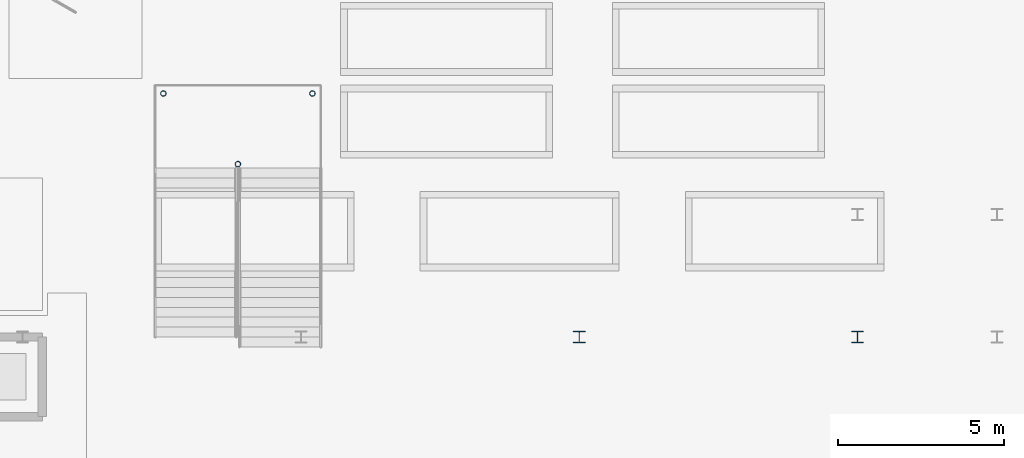
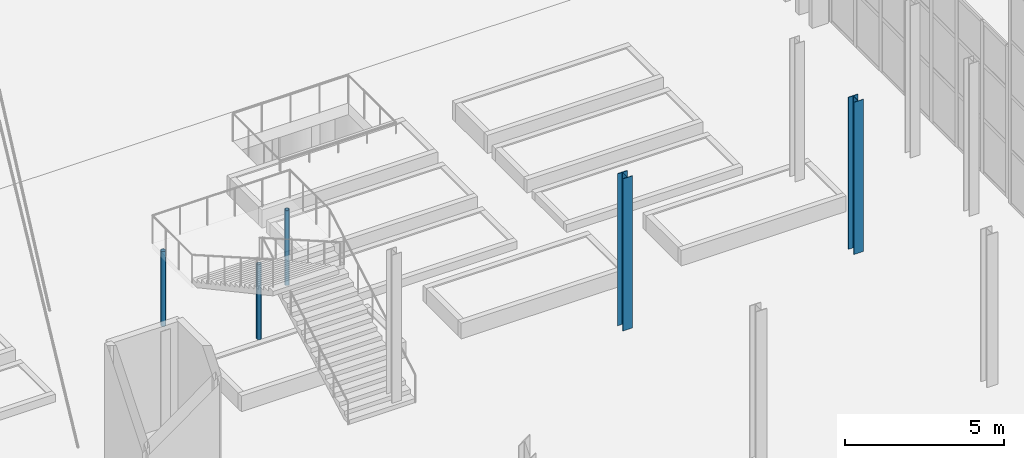
# One storey, part 30 of 108: 5 columns.
"""IFC4 building model written with IfcOpenShell, lengths in metres."""

from ifc_helpers import new_model, si_unit, direction, frame, origin, origin_2d, place, context, subcontext, project, spatial, hollow_circle, i_section, extrude, material, material_profile, profile_set, type_object, element, save


model = new_model("IFC4")

# Units and contexts
model_context = context("Model", 3, precision=1e-05, world=origin(), true_north=direction((0.0, 1.0)))
body_context = subcontext(model_context, "Body", "Model", "MODEL_VIEW")
ifc_project = project(units=[si_unit("LENGTHUNIT", "METRE"), si_unit("AREAUNIT", "SQUARE_METRE"), si_unit("VOLUMEUNIT", "CUBIC_METRE"), si_unit("PLANEANGLEUNIT", "RADIAN"), si_unit("MASSUNIT", "GRAM", prefix="KILO")], contexts=[model_context])

# Site, building, storey
site_placement = place(None, origin())
site = spatial("IfcSite", under=ifc_project, at=site_placement, CompositionType="ELEMENT")
building_placement = place(site_placement, origin())
building = spatial("IfcBuilding", under=site, at=building_placement, Name="Cresset Court Congress Hotel", CompositionType="ELEMENT")
storey_placement = place(building_placement, origin())
storey = spatial("IfcBuildingStorey", under=building, at=storey_placement, Name="L00", CompositionType="ELEMENT", Elevation=0.0)

# Columns
ifc_material_1 = material(Name="Structural steel Q355B", Category="steel")
ifc_material_profile_1 = material_profile(ifc_material_1, hollow_circle(Radius=0.083984375, WallThickness=0.008056640625, at=origin_2d()), Name="CHS168x8")
ifc_profile_set_1 = profile_set([ifc_material_profile_1], Name="Structural steel Q355B")
column_type_1 = type_object("IfcColumnType", Name="Canopy post CHS168x8", PredefinedType="COLUMN", material=ifc_profile_set_1)
for number, where, z_axis, x_axis, name in (
    (1, (132.5, 47.219970703125, 0.0), (0.0, 0.0, 1.0), (1.0, 0.0, 0.0), "Stair post D033"),
    (2, (130.25, 49.35009765625, 0.0), (0.0, 0.0, 1.0), (1.0, 0.0, 0.0), "Stair post D031"),
    (3, (134.75, 49.35009765625, 0.0), (0.0, 0.0, 1.0), (1.0, 0.0, 0.0), "Stair post D032"),
):
    element("IfcColumn", number, at=place(storey_placement, frame(where, z_axis=z_axis, x_axis=x_axis)), inside=storey, type_object=column_type_1, Name=name, PredefinedType="COLUMN", context=body_context, shape_type="SweptSolid", body=[
        extrude(hollow_circle(Radius=0.083984375, WallThickness=0.008056640625, at=origin_2d()), origin(), (0.0, 0.0, 1.0), 2.881103515625),
    ])
ifc_material_2 = material(Name="Structural steel Q355B", Category="steel")
ifc_material_profile_2 = material_profile(ifc_material_2, i_section(OverallWidth=0.35009765625, OverallDepth=0.35009765625, WebThickness=0.011962890625, FlangeThickness=0.01904296875, FilletRadius=0.012939453125, at=origin_2d()), Name="HW350x350x12x19")
ifc_profile_set_2 = profile_set([ifc_material_profile_2], Name="Structural steel Q355B")
column_type_2 = type_object("IfcColumnType", Name="Steel column HW350x350x12x19", PredefinedType="COLUMN", material=ifc_profile_set_2)
for number, where, z_axis, x_axis, name in (
    (4, (142.800048828125, 42.0, 0.0), (0.0, 0.0, 1.0), (1.0, 0.0, 0.0), "Deck column R317"),
    (5, (151.199951171875, 42.0, 0.0), (0.0, 0.0, 1.0), (1.0, 0.0, 0.0), "Deck column R318"),
):
    element("IfcColumn", number, at=place(storey_placement, frame(where, z_axis=z_axis, x_axis=x_axis)), inside=storey, type_object=column_type_2, Name=name, PredefinedType="COLUMN", context=body_context, shape_type="SweptSolid", body=[
        extrude(i_section(OverallWidth=0.35009765625, OverallDepth=0.35009765625, WebThickness=0.011962890625, FlangeThickness=0.01904296875, FilletRadius=0.012939453125, at=origin_2d()), origin(), (0.0, 0.0, 1.0), 5.85009765625),
    ])

save(model, "model.ifc")
